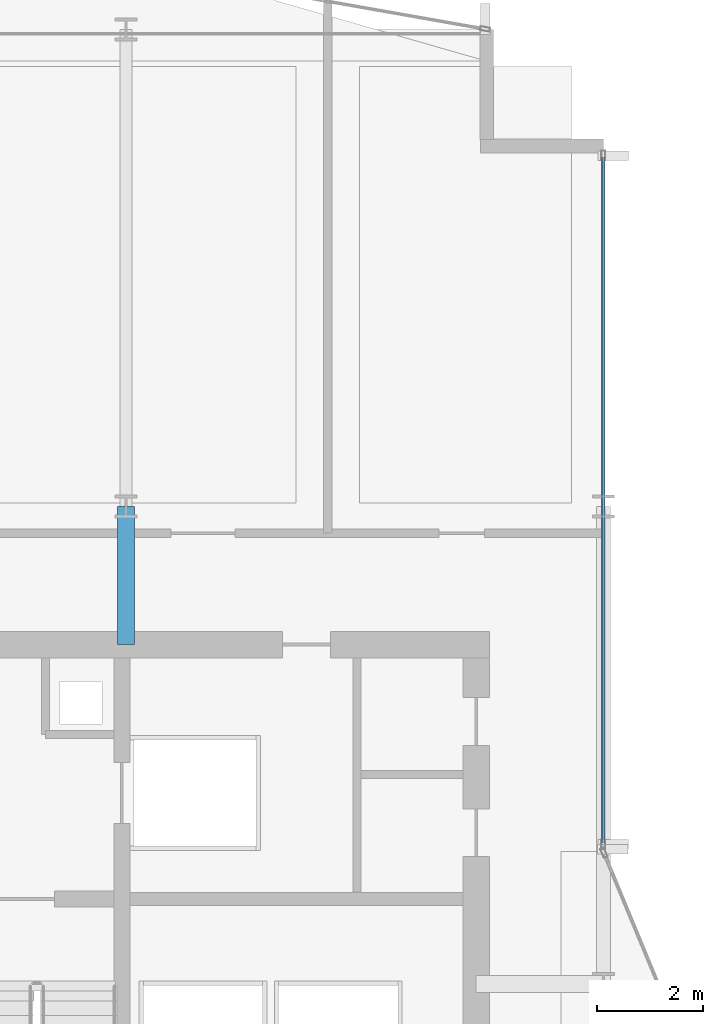
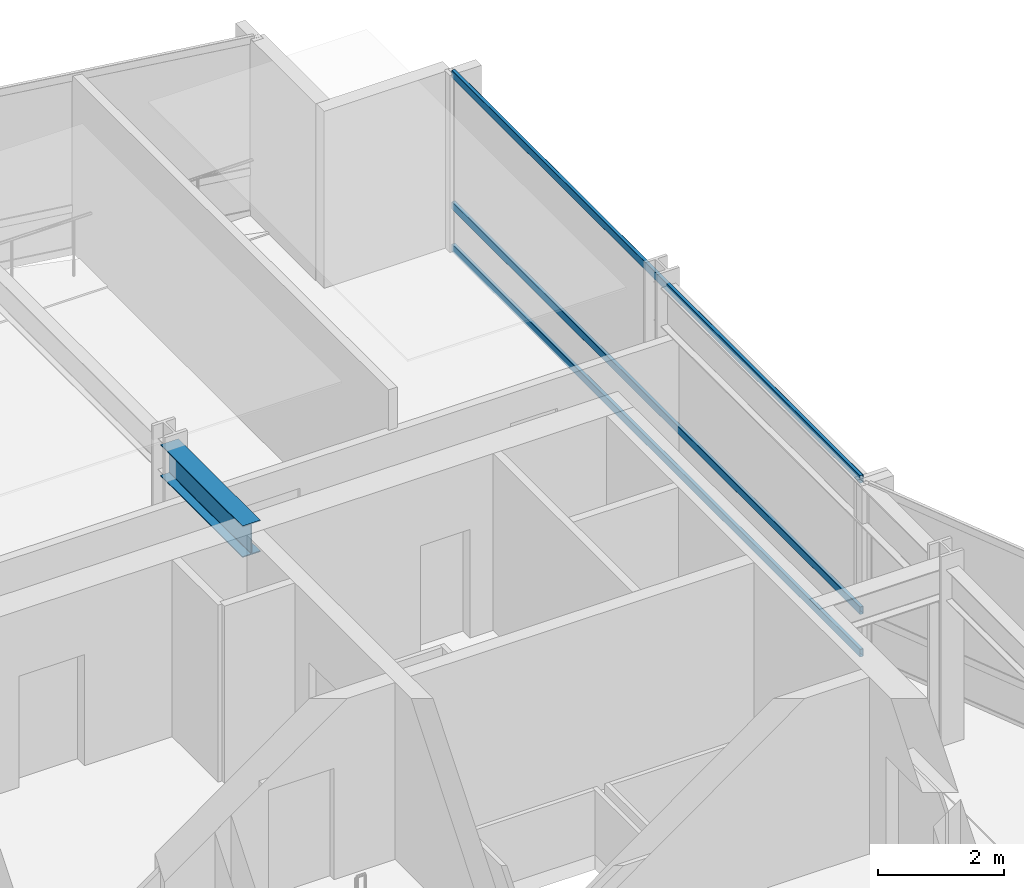
# One storey, part 18 of 28: 3 members, 1 beam, 1 element without a shape of its own.
"""IFC4 building model written with IfcOpenShell, lengths in metres."""

import ifcopenshell
import ifcopenshell.guid

model = None  # the IFC model being written
_history = None  # IfcOwnerHistory: only IFC2X3 demands one
_inside = {}  # id of a spatial element -> (the spatial element, [elements in it])
_under = {}  # id of a project, library or spatial element -> (it, [spatial elements below it])
_declared = {}  # id of a project -> (the project, [libraries it declares])
_typed = {}  # id of a type object -> (the type object, [elements of that type])
_made_of = {}  # id of a material, layer set ... -> (it, [elements and type objects made of it])


def new_model(schema):
    """Start an empty IFC model of exactly this schema.

    Asked for "IFC4X3", IfcOpenShell would pick the latest addendum, in which some entities
    have other attributes; the version numbers below select the first issue.
    IFC2X3 requires an IfcOwnerHistory on every rooted entity: one is made here for all.
    """
    global model, _history
    if schema == "IFC4X3":
        model = ifcopenshell.file(schema_version=(4, 3, 0, 0))
    else:
        model = ifcopenshell.file(schema=schema)
    _inside.clear()
    _under.clear()
    _declared.clear()
    _typed.clear()
    _made_of.clear()
    _history = None
    if model.schema == "IFC2X3":
        org = make("IfcOrganization", Name="unknown")
        user = make(
            "IfcPersonAndOrganization",
            ThePerson=make("IfcPerson", FamilyName="unknown"),
            TheOrganization=org,
        )
        app = make(
            "IfcApplication",
            ApplicationDeveloper=org,
            Version="unknown",
            ApplicationFullName="unknown",
            ApplicationIdentifier="unknown",
        )
        _history = make(
            "IfcOwnerHistory",
            OwningUser=user,
            OwningApplication=app,
            ChangeAction="ADDED",
            CreationDate=0,
        )
    return model


def make(cls, **values):
    """One entity of the class cls with the attributes given. An attribute that is None is left unset."""
    return model.create_entity(
        cls, **{name: value for name, value in values.items() if value is not None}
    )


def rooted(cls, **values):
    """An entity with a GlobalId (a new one), such as an element, a storey or a relation."""
    return make(cls, GlobalId=ifcopenshell.guid.new(), OwnerHistory=_history, **values)


def si_unit(unit_type, name, prefix=None):
    """IfcSIUnit, for example si_unit("LENGTHUNIT", "METRE", prefix="MILLI")."""
    return make("IfcSIUnit", UnitType=unit_type, Prefix=prefix, Name=name)


def assignment(units):
    """IfcUnitAssignment: the units of a project."""
    return None if units is None else make("IfcUnitAssignment", Units=units)


def point(xyz):
    """IfcCartesianPoint."""
    return None if xyz is None else make("IfcCartesianPoint", Coordinates=xyz)


def direction(xyz):
    """IfcDirection."""
    return None if xyz is None else make("IfcDirection", DirectionRatios=xyz)


def frame(location, z_axis=None, x_axis=None):
    """IfcAxis2Placement3D, a coordinate frame: its origin and axes. An axis left out is left unset."""
    return make(
        "IfcAxis2Placement3D",
        Location=point(location),
        Axis=direction(z_axis),
        RefDirection=direction(x_axis),
    )


def frame_2d(location, x_axis=None):
    """IfcAxis2Placement2D, a coordinate frame in the plane: its origin and x axis."""
    return make(
        "IfcAxis2Placement2D", Location=point(location), RefDirection=direction(x_axis)
    )


def origin():
    """The frame at (0, 0, 0) with its axes left unset."""
    return frame((0.0, 0.0, 0.0))


def origin_2d():
    """The frame at (0, 0) in the plane with its x axis left unset."""
    return frame_2d((0.0, 0.0))


def place(relative_to, where):
    """IfcLocalPlacement: puts the frame where relative to a parent placement (None: the world)."""
    return make(
        "IfcLocalPlacement", PlacementRelTo=relative_to, RelativePlacement=where
    )


def context(
    kind, dimensions, precision=None, world=None, true_north=None, identifier=None
):
    """IfcGeometricRepresentationContext, for example the 3D "Model" context."""
    return make(
        "IfcGeometricRepresentationContext",
        ContextIdentifier=identifier,
        ContextType=kind,
        CoordinateSpaceDimension=dimensions,
        Precision=precision,
        WorldCoordinateSystem=world,
        TrueNorth=true_north,
    )


def subcontext(parent, identifier, kind, view, scale=None):
    """IfcGeometricRepresentationSubContext, for example "Body" below "Model"."""
    return make(
        "IfcGeometricRepresentationSubContext",
        ContextIdentifier=identifier,
        ContextType=kind,
        ParentContext=parent,
        TargetScale=scale,
        TargetView=view,
    )


def project(units=None, contexts=None):
    """IfcProject with its units and contexts."""
    return rooted(
        "IfcProject",
        Name="project",
        RepresentationContexts=contexts,
        UnitsInContext=assignment(units),
    )


def spatial(cls, under=None, at=None, **own):
    """A site, building, storey or space (cls), placed at a placement, below another one or the project."""
    s = rooted(cls, ObjectPlacement=at, **own)
    if under is not None:
        _under.setdefault(under.id(), (under, []))[1].append(s)
    return s


def profile(cls, at=None, kind="AREA", **sizes):
    """A parametric profile (cls). Its sizes go by their IFC names, for example OverallWidth=200.0."""
    return make(cls, ProfileType=kind, Position=at, **sizes)


def hollow_rectangle(**sizes):
    """IfcRectangleHollowProfileDef."""
    return profile("IfcRectangleHollowProfileDef", **sizes)


def i_section(**sizes):
    """IfcIShapeProfileDef."""
    return profile("IfcIShapeProfileDef", **sizes)


def extrude(swept, where, along, depth):
    """IfcExtrudedAreaSolid: the profile swept, set in the frame where, extruded along a direction by depth."""
    return make(
        "IfcExtrudedAreaSolid",
        SweptArea=swept,
        Position=where,
        ExtrudedDirection=direction(along),
        Depth=depth,
    )


def shape(context_of_items, identifier, shape_type, items):
    """IfcShapeRepresentation: the items that make up one representation, for example the "Body"."""
    return make(
        "IfcShapeRepresentation",
        ContextOfItems=context_of_items,
        RepresentationIdentifier=identifier,
        RepresentationType=shape_type,
        Items=items,
    )


def material(Name=None, Category=None):
    """IfcMaterial."""
    return make("IfcMaterial", Name=Name, Category=Category)


def layer(
    of_material, thickness, ventilated=None, Name=None, Category=None, Priority=None
):
    """IfcMaterialLayer: one layer of a wall or slab, of a material (None: an air gap)."""
    return make(
        "IfcMaterialLayer",
        Material=of_material,
        LayerThickness=thickness,
        IsVentilated=ventilated,
        Name=Name,
        Category=Category,
        Priority=Priority,
    )


def layer_set(layers, Name=None):
    """IfcMaterialLayerSet."""
    return make("IfcMaterialLayerSet", MaterialLayers=layers, LayerSetName=Name)


def material_profile(
    of_material, cross_section, Name=None, Category=None, Priority=None
):
    """IfcMaterialProfile: a cross section and its material."""
    return make(
        "IfcMaterialProfile",
        Name=Name,
        Material=of_material,
        Profile=cross_section,
        Priority=Priority,
        Category=Category,
    )


def profile_set(profiles, Name=None, composite=None):
    """IfcMaterialProfileSet."""
    return make(
        "IfcMaterialProfileSet",
        Name=Name,
        MaterialProfiles=profiles,
        CompositeProfile=composite,
    )


def made_of(thing, what):
    """Note that an element or type object is made of a material, layer set ...; save() writes the relation."""
    if what is not None:
        _made_of.setdefault(what.id(), (what, []))[1].append(thing)
    return thing


def type_object(cls, material=None, **own):
    """A type object (cls), such as IfcWallType, which elements share."""
    return made_of(rooted(cls, **own), material)


def element(
    cls,
    number,
    at=None,
    inside=None,
    cuts=None,
    type_object=None,
    material=None,
    context=None,
    identifier="Body",
    shape_type=None,
    held_by="IfcProductDefinitionShape",
    body=None,
    shapes=None,
    **own,
):
    """One element of the class cls, such as IfcWall. Its Tag is "e" and its number.

    at: its placement. inside: the storey or other place that contains it. cuts: it is an
    opening in that element (IfcRelVoidsElement). A single representation is given by context,
    identifier, shape_type and body (its items); several are given by shapes. held_by: the class
    of the entity that holds the representations. save() writes the other relations.
    """
    e = rooted(cls, Tag="e%d" % number, ObjectPlacement=at, **own)
    if body is not None:
        shapes = [shape(context, identifier, shape_type, body)]
    if shapes is not None:
        e.Representation = make(held_by, Representations=shapes)
    if inside is not None:
        _inside.setdefault(inside.id(), (inside, []))[1].append(e)
    if cuts is not None:
        rooted(
            "IfcRelVoidsElement", RelatingBuildingElement=cuts, RelatedOpeningElement=e
        )
    if type_object is not None:
        _typed.setdefault(type_object.id(), (type_object, []))[1].append(e)
    return made_of(e, material)


def aggregate(whole, parts):
    """IfcRelAggregates: a whole, such as a stair, and the parts it consists of."""
    return rooted("IfcRelAggregates", RelatingObject=whole, RelatedObjects=parts)


def save(model, path):
    """Write the relations noted so far, then the file.

    IfcRelAggregates (storeys below a building ...), IfcRelContainedInSpatialStructure (elements
    in a storey), IfcRelDefinesByType, IfcRelAssociatesMaterial and IfcRelDeclares: one each for
    every whole, place, type object, material and project.
    """
    for whole, parts in _under.values():
        aggregate(whole, parts)
    for where, things in _inside.values():
        rooted(
            "IfcRelContainedInSpatialStructure",
            RelatedElements=things,
            RelatingStructure=where,
        )
    for kind, things in _typed.values():
        rooted("IfcRelDefinesByType", RelatedObjects=things, RelatingType=kind)
    for what, things in _made_of.values():
        rooted("IfcRelAssociatesMaterial", RelatedObjects=things, RelatingMaterial=what)
    for by, libraries in _declared.values():
        rooted("IfcRelDeclares", RelatingContext=by, RelatedDefinitions=libraries)
    model.write(path)


model = new_model("IFC4")

# Units and contexts
model_context = context("Model", 3, precision=1e-05, world=origin(), true_north=direction((0.0, 1.0)))
body_context = subcontext(model_context, "Body", "Model", "MODEL_VIEW")
ifc_project = project(units=[si_unit("LENGTHUNIT", "METRE"), si_unit("AREAUNIT", "SQUARE_METRE"), si_unit("VOLUMEUNIT", "CUBIC_METRE"), si_unit("PLANEANGLEUNIT", "RADIAN"), si_unit("MASSUNIT", "GRAM", prefix="KILO")], contexts=[model_context])

# Site, building, storey
site_placement = place(None, origin())
site = spatial("IfcSite", under=ifc_project, at=site_placement, CompositionType="ELEMENT")
building_placement = place(site_placement, origin())
building = spatial("IfcBuilding", under=site, at=building_placement, Name="Solvaryn Broadcast Tower", CompositionType="ELEMENT")
storey_placement = place(building_placement, frame((0.0, 0.0, 158.10009765625)))
storey = spatial("IfcBuildingStorey", under=building, at=storey_placement, Name="L39", CompositionType="ELEMENT", Elevation=158.10009765625)

# Beam
ifc_material_1 = material(Name="Steel ASTM A992 Grade 50", Category="steel")
ifc_material_profile_1 = material_profile(ifc_material_1, i_section(OverallWidth=0.323974609375, OverallDepth=0.611083984375, WebThickness=0.0126953125, FlangeThickness=0.01904296875, FilletRadius=0.014892578125, at=origin_2d()))
ifc_profile_set_1 = profile_set([ifc_material_profile_1], Name="Steel ASTM A992 Grade 50")
beam_type = type_object("IfcBeamType", Name="BM-B1-W24X104", PredefinedType="BEAM", material=ifc_profile_set_1)
beam_placement = place(storey_placement, frame((18.0, 42.39990234375, 3.114501953125), z_axis=(0.0, 1.0, 0.0), x_axis=(-1.0, 0.0, 0.0)))
element("IfcBeam", 1, at=beam_placement, inside=storey, type_object=beam_type, Name="L39 Core Tie Beam CTW3", PredefinedType="BEAM", context=body_context, shape_type="SweptSolid", body=[
    extrude(i_section(OverallWidth=0.323974609375, OverallDepth=0.611083984375, WebThickness=0.0126953125, FlangeThickness=0.01904296875, FilletRadius=0.014892578125, at=origin_2d()), origin(), (0.0, 0.0, 1.0), 2.60009765625),
])

# Curtain wall, members
ifc_material_2 = material(Name="Aluminium and Terracotta Unitised Curtain Wall", Category="masonry")
ifc_layer = layer(ifc_material_2, 0.199951171875)
ifc_layer_set = layer_set([ifc_layer], Name="CW-SYS2-LOWMID")
curtain_wall_type = type_object("IfcCurtainWallType", Name="CW-SYS2-LOWMID", PredefinedType="NOTDEFINED", material=ifc_layer_set)
curtain_wall_placement = place(storey_placement, origin())
curtain_wall = element("IfcCurtainWall", 2, at=curtain_wall_placement, inside=storey, type_object=curtain_wall_type, Name="L39 Curtain Wall IV", PredefinedType="NOTDEFINED")
ifc_material_3 = material(Name="Anodised Aluminium 6063-T6", Category="aluminium")
ifc_material_profile_2 = material_profile(ifc_material_3, hollow_rectangle(XDim=0.06494140625, YDim=0.14990234375, WallThickness=0.00390625, InnerFilletRadius=0.00390625, OuterFilletRadius=0.008056640625, at=origin_2d()))
ifc_profile_set_2 = profile_set([ifc_material_profile_2], Name="Anodised Aluminium 6063-T6")
member_type = type_object("IfcMemberType", Name="CW-TRN-150", PredefinedType="USERDEFINED", material=ifc_profile_set_2)
member_1_placement = place(storey_placement, frame((27.0, 51.590087890625, 0.02978515625), z_axis=(0.0, -1.0, 0.0), x_axis=(1.0, 0.0, 0.0)))
member_1 = element("IfcMember", 3, at=member_1_placement, type_object=member_type, Name="CWS2 transom 1.1", ObjectType="TRANSOM", PredefinedType="USERDEFINED", context=body_context, shape_type="SweptSolid", body=[
    extrude(hollow_rectangle(XDim=0.06494140625, YDim=0.14990234375, WallThickness=0.00390625, InnerFilletRadius=0.00390625, OuterFilletRadius=0.008056640625, at=origin_2d()), origin(), (0.0, 0.0, 1.0), 12.93017578125),
])
member_2_placement = place(storey_placement, frame((27.0, 51.590087890625, 0.849853515625), z_axis=(0.0, -1.0, 0.0), x_axis=(1.0, 0.0, 0.0)))
member_2 = element("IfcMember", 4, at=member_2_placement, type_object=member_type, Name="CWS2 transom 1.2", ObjectType="TRANSOM", PredefinedType="USERDEFINED", context=body_context, shape_type="SweptSolid", body=[
    extrude(hollow_rectangle(XDim=0.06494140625, YDim=0.14990234375, WallThickness=0.00390625, InnerFilletRadius=0.00390625, OuterFilletRadius=0.008056640625, at=origin_2d()), origin(), (0.0, 0.0, 1.0), 12.93017578125),
])
member_3_placement = place(storey_placement, frame((27.0, 51.590087890625, 3.389892578125), z_axis=(0.0, -1.0, 0.0), x_axis=(1.0, 0.0, 0.0)))
member_3 = element("IfcMember", 5, at=member_3_placement, type_object=member_type, Name="CWS2 transom 1.3", ObjectType="TRANSOM", PredefinedType="USERDEFINED", context=body_context, shape_type="SweptSolid", body=[
    extrude(hollow_rectangle(XDim=0.06494140625, YDim=0.14990234375, WallThickness=0.00390625, InnerFilletRadius=0.00390625, OuterFilletRadius=0.008056640625, at=origin_2d()), origin(), (0.0, 0.0, 1.0), 12.93017578125),
])
aggregate(curtain_wall, [member_1, member_2, member_3])

save(model, "model.ifc")
